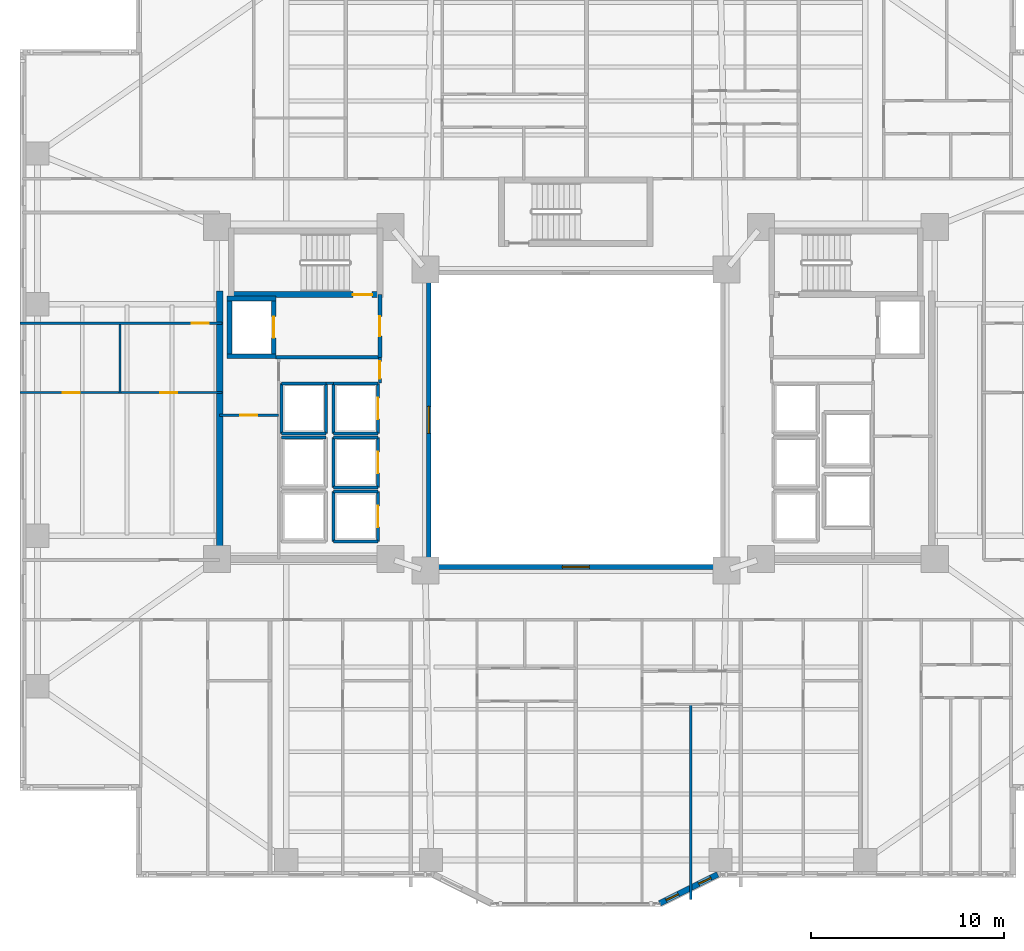
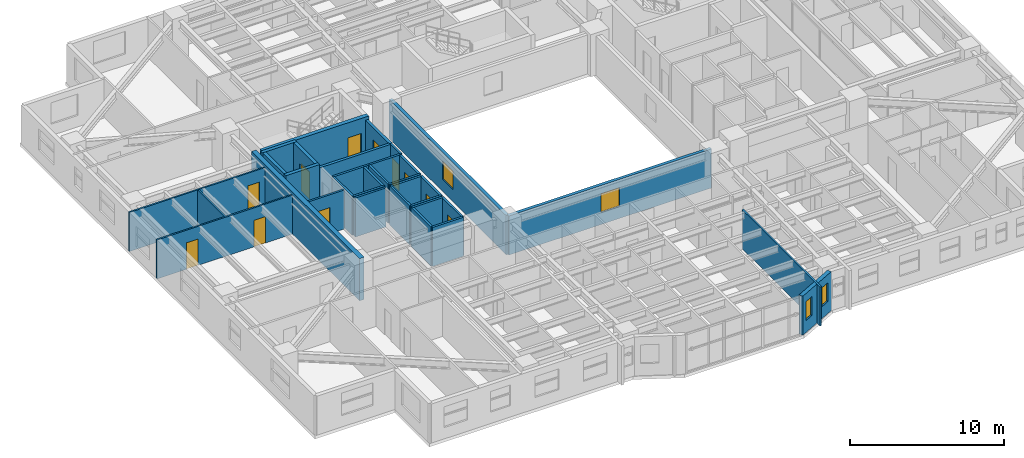
# One storey, part 11 of 21: 35 walls, 11 doors, 4 windows, 15 openings.
"""IFC4 building model written with IfcOpenShell, lengths in metres."""

from ifc_helpers import new_model, si_unit, direction, frame, frame_2d, origin, place, context, subcontext, project, spatial, rectangle, extrude, material, layer, layer_set, type_object, element, fill, save


model = new_model("IFC4")

# Units and contexts
model_context = context("Model", 3, precision=1e-05, world=origin(), true_north=direction((0.0, 1.0)))
body_context = subcontext(model_context, "Body", "Model", "MODEL_VIEW")
ifc_project = project(units=[si_unit("LENGTHUNIT", "METRE"), si_unit("AREAUNIT", "SQUARE_METRE"), si_unit("VOLUMEUNIT", "CUBIC_METRE"), si_unit("PLANEANGLEUNIT", "RADIAN"), si_unit("MASSUNIT", "GRAM", prefix="KILO")], contexts=[model_context])

# Site, building, storey
site_placement = place(None, origin())
site = spatial("IfcSite", under=ifc_project, at=site_placement, CompositionType="ELEMENT")
building_placement = place(site_placement, origin())
building = spatial("IfcBuilding", under=site, at=building_placement, Name="Tarnavaz Court Tower", CompositionType="ELEMENT")
storey_placement = place(building_placement, frame((0.0, 0.0, 24.0)))
storey = spatial("IfcBuildingStorey", under=building, at=storey_placement, Name="L05", CompositionType="ELEMENT", Elevation=24.0)

# Wall
ifc_material_1 = material(Name="Concrete C60/75", Category="concrete")
ifc_layer_1 = layer(ifc_material_1, 0.25)
ifc_layer_set_1 = layer_set([ifc_layer_1], Name="Concrete C60/75")
wall_type_1 = type_object("IfcWallType", Name="WL-CORE-250-C60", PredefinedType="SHEAR", material=ifc_layer_set_1)
wall_1_placement = place(storey_placement, frame((-17.949951171875, 3.175048828125, 0.0), z_axis=(0.0, 0.0, 1.0), x_axis=(0.0, 1.0, 0.0)))
element("IfcWall", 1, at=wall_1_placement, inside=storey, type_object=wall_type_1, Name="L05 Lift FL-W1 Shaft Wall 017", PredefinedType="SHEAR", context=body_context, shape_type="SweptSolid", body=[
    extrude(rectangle(XDim=3.25, YDim=0.25, at=frame_2d((1.625, 0.0))), origin(), (0.0, 0.0, 1.0), 3.35009765625),
])

# Wall, opening, door
wall_2_placement = place(storey_placement, frame((-15.64990234375, 3.175048828125, 0.0), z_axis=(0.0, 0.0, 1.0), x_axis=(0.0, 1.0, 0.0)))
wall_2 = element("IfcWall", 2, at=wall_2_placement, inside=storey, type_object=wall_type_1, Name="L05 Lift FL-W1 Shaft Wall 018", PredefinedType="SHEAR", context=body_context, shape_type="SweptSolid", body=[
    extrude(rectangle(XDim=3.25, YDim=0.25, at=frame_2d((1.625, 0.0))), origin(), (0.0, 0.0, 1.0), 3.35009765625),
])
opening_1_placement = place(wall_2_placement, frame((1.074951171875, 0.0, 0.0)))
opening_1 = element("IfcOpeningElement", 3, at=opening_1_placement, cuts=wall_2, Name="Opening LD1", PredefinedType="OPENING", context=body_context, shape_type="SweptSolid", body=[
    extrude(rectangle(XDim=1.10009765625, YDim=2.14990234375, at=frame_2d((0.550048828125, 1.074951171875))), frame((0.0, 0.135009765625, 0.0), z_axis=(0.0, -1.0, 0.0), x_axis=(1.0, 0.0, 0.0)), (0.0, 0.0, 1.0), 0.27001953125),
])
ifc_material_2 = material(Name="Stainless Steel", Category="steel")
door_type_1 = type_object("IfcDoorType", Name="DR-LD-1100", OperationType="NOTDEFINED", PredefinedType="DOOR", material=ifc_material_2)
door_1_placement = place(opening_1_placement, origin())
door_1 = element("IfcDoor", 4, at=door_1_placement, inside=storey, type_object=door_type_1, Name="L05 Lift Landing Door LD-FL-W1", OperationType="SLIDING_TO_LEFT", OverallHeight=2.14990234375, OverallWidth=1.10009765625, PredefinedType="DOOR", context=body_context, shape_type="SweptSolid", body=[
    extrude(rectangle(XDim=1.10009765625, YDim=2.14990234375, at=frame_2d((0.550048828125, 1.074951171875))), frame((0.0, 0.02490234375, 0.0), z_axis=(0.0, -1.0, 0.0), x_axis=(1.0, 0.0, 0.0)), (0.0, 0.0, 1.0), 0.050048828125),
])
fill(opening_1, door_1)

# Walls
for number, where, z_axis, x_axis, name in (
    (5, (-18.074951171875, 3.300048828125, 0.0), (0.0, 0.0, 1.0), (1.0, 0.0, 0.0), "L05 Lift FL-W1 Shaft Wall 019"),
    (6, (-18.074951171875, 6.300048828125, 0.0), (0.0, 0.0, 1.0), (1.0, 0.0, 0.0), "L05 Lift FL-W1 Shaft Wall 020"),
):
    element("IfcWall", number, at=place(storey_placement, frame(where, z_axis=z_axis, x_axis=x_axis)), inside=storey, type_object=wall_type_1, Name=name, PredefinedType="SHEAR", context=body_context, shape_type="SweptSolid", body=[
        extrude(rectangle(XDim=2.550048828125, YDim=0.25, at=frame_2d((1.27490234375, 0.0))), origin(), (0.0, 0.0, 1.0), 3.35009765625),
    ])

# Wall, opening, door
ifc_layer_2 = layer(ifc_material_1, 0.300048828125)
ifc_layer_set_2 = layer_set([ifc_layer_2], Name="Concrete C60/75")
wall_type_2 = type_object("IfcWallType", Name="WL-CORE-300-C60", PredefinedType="SHEAR", material=ifc_layer_set_2)
wall_3_placement = place(storey_placement, frame((-18.0, 6.5, 0.0), z_axis=(0.0, 0.0, 1.0), x_axis=(1.0, 0.0, 0.0)))
wall_3 = element("IfcWall", 7, at=wall_3_placement, inside=storey, type_object=wall_type_2, Name="L05 West Stair Core Wall 002", PredefinedType="SHEAR", context=body_context, shape_type="SweptSolid", body=[
    extrude(rectangle(XDim=8.0, YDim=0.300048828125, at=frame_2d((4.0, 0.0))), origin(), (0.0, 0.0, 1.0), 3.35009765625),
])
opening_2_placement = place(wall_3_placement, frame((6.449951171875, 0.0, 0.0)))
opening_2 = element("IfcOpeningElement", 8, at=opening_2_placement, cuts=wall_3, Name="Opening D01", PredefinedType="OPENING", context=body_context, shape_type="SweptSolid", body=[
    extrude(rectangle(XDim=1.0, YDim=2.14990234375, at=frame_2d((0.5, 1.074951171875))), frame((0.0, 0.159912109375, 0.0), z_axis=(0.0, -1.0, 0.0), x_axis=(1.0, 0.0, 0.0)), (0.0, 0.0, 1.0), 0.320068359375),
])
ifc_material_3 = material(Name="Fire-Rated Hardwood Timber Core", Category="wood")
door_type_2 = type_object("IfcDoorType", Name="DR-FD90-1000", OperationType="NOTDEFINED", PredefinedType="DOOR", material=ifc_material_3)
door_2_placement = place(opening_2_placement, origin())
door_2 = element("IfcDoor", 9, at=door_2_placement, inside=storey, type_object=door_type_2, Name="L05 Stair ST-W1 Exit Door", OperationType="SINGLE_SWING_LEFT", OverallHeight=2.14990234375, OverallWidth=1.0, PredefinedType="DOOR", context=body_context, shape_type="SweptSolid", body=[
    extrude(rectangle(XDim=1.0, YDim=2.14990234375, at=frame_2d((0.5, 1.074951171875))), frame((0.0, 0.02490234375, 0.0), z_axis=(0.0, -1.0, 0.0), x_axis=(1.0, 0.0, 0.0)), (0.0, 0.0, 1.0), 0.050048828125),
])
fill(opening_2, door_2)

# Wall
ifc_layer_3 = layer(ifc_material_1, 0.35009765625)
ifc_layer_set_3 = layer_set([ifc_layer_3], Name="Concrete C60/75")
wall_type_3 = type_object("IfcWallType", Name="WL-CORE-350-C60", PredefinedType="SHEAR", material=ifc_layer_set_3)
wall_4_placement = place(storey_placement, frame((-18.449951171875, -7.375, 0.0), z_axis=(0.0, 0.0, 1.0), x_axis=(0.0, 1.0, 0.0)))
element("IfcWall", 10, at=wall_4_placement, inside=storey, type_object=wall_type_3, Name="L05 West Core Shear Wall 069", PredefinedType="SHEAR", context=body_context, shape_type="SweptSolid", body=[
    extrude(rectangle(XDim=14.050048828125, YDim=0.35009765625, at=frame_2d((7.02490234375, 0.0))), origin(), (0.0, 0.0, 1.0), 3.35009765625),
])

# Wall, openings, windows
ifc_material_4 = material(Name="Precast Concrete C40/50", Category="concrete")
ifc_layer_4 = layer(ifc_material_4, 0.300048828125)
ifc_layer_set_4 = layer_set([ifc_layer_4], Name="Precast Concrete C40/50")
wall_type_4 = type_object("IfcWallType", Name="WL-EXT-300", PredefinedType="SOLIDWALL", material=ifc_layer_set_4)
wall_5_placement = place(storey_placement, frame((7.35009765625, -23.550048828125, 0.0), z_axis=(0.0, 0.0, 1.0), x_axis=(-0.894427191, -0.4472135955, 0.0)))
wall_5 = element("IfcWall", 11, at=wall_5_placement, inside=storey, type_object=wall_type_4, Name="L05 Exterior Terracotta Facade Wall 16", PredefinedType="SOLIDWALL", context=body_context, shape_type="SweptSolid", body=[
    extrude(rectangle(XDim=3.35400390625, YDim=0.300048828125, at=frame_2d((1.677001953125, 0.0))), origin(), (0.0, 0.0, 1.0), 3.10009765625),
])
opening_3_placement = place(wall_5_placement, frame((0.395751953125, 0.0, 0.949951171875)))
opening_3 = element("IfcOpeningElement", 12, at=opening_3_placement, cuts=wall_5, Name="Opening W16", PredefinedType="OPENING", context=body_context, shape_type="SweptSolid", body=[
    extrude(rectangle(XDim=0.699951171875, YDim=1.5, at=frame_2d((0.35009765625, 0.75))), frame((0.0, 0.159912109375, 0.0), z_axis=(0.0, -1.0, 0.0), x_axis=(1.0, 0.0, 0.0)), (0.0, 0.0, 1.0), 0.320068359375),
])
opening_4_placement = place(wall_5_placement, frame((2.282470703125, 0.0, 0.949951171875)))
opening_4 = element("IfcOpeningElement", 13, at=opening_4_placement, cuts=wall_5, Name="Opening W16", PredefinedType="OPENING", context=body_context, shape_type="SweptSolid", body=[
    extrude(rectangle(XDim=0.699951171875, YDim=1.5, at=frame_2d((0.35009765625, 0.75))), frame((0.0, 0.159912109375, 0.0), z_axis=(0.0, -1.0, 0.0), x_axis=(1.0, 0.0, 0.0)), (0.0, 0.0, 1.0), 0.320068359375),
])
ifc_material_5 = material(Name="Double-Glazed Solar Low-E Glass", Category="glass")
window_type_1 = type_object("IfcWindowType", Name="WN-APT-700", PartitioningType="SINGLE_PANEL", PredefinedType="WINDOW", material=ifc_material_5)
window_1_placement = place(opening_3_placement, origin())
window_1 = element("IfcWindow", 14, at=window_1_placement, inside=storey, type_object=window_type_1, Name="L05 Flat 10 Bedroom 2 Window", OverallHeight=1.5, OverallWidth=0.699951171875, PartitioningType="SINGLE_PANEL", PredefinedType="WINDOW", context=body_context, shape_type="SweptSolid", body=[
    extrude(rectangle(XDim=0.699951171875, YDim=1.5, at=frame_2d((0.35009765625, 0.75))), frame((0.0, 0.030029296875, 0.0), z_axis=(0.0, -1.0, 0.0), x_axis=(1.0, 0.0, 0.0)), (0.0, 0.0, 1.0), 0.06005859375),
])
fill(opening_3, window_1)
window_2_placement = place(opening_4_placement, origin())
window_2 = element("IfcWindow", 15, at=window_2_placement, inside=storey, type_object=window_type_1, Name="L05 Flat 10 Principal Bedroom Window", OverallHeight=1.5, OverallWidth=0.699951171875, PartitioningType="SINGLE_PANEL", PredefinedType="WINDOW", context=body_context, shape_type="SweptSolid", body=[
    extrude(rectangle(XDim=0.699951171875, YDim=1.5, at=frame_2d((0.35009765625, 0.75))), frame((0.0, 0.030029296875, 0.0), z_axis=(0.0, -1.0, 0.0), x_axis=(1.0, 0.0, 0.0)), (0.0, 0.0, 1.0), 0.06005859375),
])
fill(opening_4, window_2)

# Wall
ifc_material_6 = material(Name="Autoclaved Aerated Concrete Blockwork", Category="masonry")
ifc_layer_5 = layer(ifc_material_6, 0.199951171875)
ifc_layer_set_5 = layer_set([ifc_layer_5], Name="Autoclaved Aerated Concrete Blockwork")
wall_type_5 = type_object("IfcWallType", Name="WL-FIRE-200", PredefinedType="SOLIDWALL", material=ifc_layer_set_5)
wall_6_placement = place(storey_placement, frame((-15.550048828125, 3.25, 0.0), z_axis=(0.0, 0.0, 1.0), x_axis=(1.0, 0.0, 0.0)))
element("IfcWall", 16, at=wall_6_placement, inside=storey, type_object=wall_type_5, Name="L05 West Firefighting Lobby Wall 013", PredefinedType="SOLIDWALL", context=body_context, shape_type="SweptSolid", body=[
    extrude(rectangle(XDim=5.400146484375, YDim=0.199951171875, at=frame_2d((2.7001953125, 0.0))), origin(), (0.0, 0.0, 1.0), 3.10009765625),
])

# Wall, opening, door
wall_7_placement = place(storey_placement, frame((-10.14990234375, 3.25, 0.0), z_axis=(0.0, 0.0, 1.0), x_axis=(0.0, 1.0, 0.0)))
wall_7 = element("IfcWall", 17, at=wall_7_placement, inside=storey, type_object=wall_type_5, Name="L05 West Firefighting Lobby Wall 014", PredefinedType="SOLIDWALL", context=body_context, shape_type="SweptSolid", body=[
    extrude(rectangle(XDim=3.25, YDim=0.199951171875, at=frame_2d((1.625, 0.0))), origin(), (0.0, 0.0, 1.0), 3.10009765625),
])
opening_5_placement = place(wall_7_placement, frame((1.10009765625, 0.0, 0.0)))
opening_5 = element("IfcOpeningElement", 18, at=opening_5_placement, cuts=wall_7, Name="Opening D05", PredefinedType="OPENING", context=body_context, shape_type="SweptSolid", body=[
    extrude(rectangle(XDim=1.02001953125, YDim=2.14990234375, at=frame_2d((0.510009765625, 1.074951171875))), frame((0.0, 0.10986328125, 0.0), z_axis=(0.0, -1.0, 0.0), x_axis=(1.0, 0.0, 0.0)), (0.0, 0.0, 1.0), 0.219970703125),
])
door_type_3 = type_object("IfcDoorType", Name="DR-FD60-1000", OperationType="NOTDEFINED", PredefinedType="DOOR", material=ifc_material_3)
door_3_placement = place(opening_5_placement, origin())
door_3 = element("IfcDoor", 19, at=door_3_placement, inside=storey, type_object=door_type_3, Name="L05 West Firefighting Lobby Door", OperationType="SINGLE_SWING_RIGHT", OverallHeight=2.14990234375, OverallWidth=1.02001953125, PredefinedType="DOOR", context=body_context, shape_type="SweptSolid", body=[
    extrude(rectangle(XDim=1.02001953125, YDim=2.14990234375, at=frame_2d((0.510009765625, 1.074951171875))), frame((0.0, 0.02490234375, 0.0), z_axis=(0.0, -1.0, 0.0), x_axis=(1.0, 0.0, 0.0)), (0.0, 0.0, 1.0), 0.050048828125),
])
fill(opening_5, door_3)

# Wall
ifc_material_7 = material(Name="Moisture-Resistant Gypsum Board Partition", Category="masonry")
ifc_layer_6 = layer(ifc_material_7, 0.1201171875)
ifc_layer_set_6 = layer_set([ifc_layer_6], Name="Moisture-Resistant Gypsum Board Partition")
wall_type_6 = type_object("IfcWallType", Name="WL-PART-120", PredefinedType="PARTITIONING", material=ifc_layer_set_6)
wall_8_placement = place(storey_placement, frame((5.9609375, -24.843017578125, 0.0), z_axis=(0.0, 0.0, 1.0), x_axis=(0.0, 1.0, 0.0)))
element("IfcWall", 20, at=wall_8_placement, inside=storey, type_object=wall_type_6, Name="L05 Interior Partition 143", PredefinedType="PARTITIONING", context=body_context, shape_type="SweptSolid", body=[
    extrude(rectangle(XDim=10.1630859375, YDim=0.1201171875, at=frame_2d((5.08154296875, 0.0))), origin(), (0.0, 0.0, 1.0), 3.10009765625),
])

# Wall, openings, doors
wall_9_placement = place(storey_placement, frame((-28.800048828125, 1.419921875, 0.0), z_axis=(0.0, 0.0, 1.0), x_axis=(1.0, 0.0, 0.0)))
wall_9 = element("IfcWall", 21, at=wall_9_placement, inside=storey, type_object=wall_type_6, Name="L05 Interior Partition 156", PredefinedType="PARTITIONING", context=body_context, shape_type="SweptSolid", body=[
    extrude(rectangle(XDim=10.469970703125, YDim=0.1201171875, at=frame_2d((5.23486328125, 0.0))), origin(), (0.0, 0.0, 1.0), 3.10009765625),
])
opening_6_placement = place(wall_9_placement, frame((2.212890625, 0.0, 0.0)))
opening_6 = element("IfcOpeningElement", 22, at=opening_6_placement, cuts=wall_9, Name="Opening D14", PredefinedType="OPENING", context=body_context, shape_type="SweptSolid", body=[
    extrude(rectangle(XDim=0.8798828125, YDim=2.10009765625, at=frame_2d((0.43994140625, 1.050048828125))), frame((0.0, 0.070068359375, 0.0), z_axis=(0.0, -1.0, 0.0), x_axis=(1.0, 0.0, 0.0)), (0.0, 0.0, 1.0), 0.14013671875),
])
opening_7_placement = place(wall_9_placement, frame((7.278076171875, 0.0, 0.0)))
opening_7 = element("IfcOpeningElement", 23, at=opening_7_placement, cuts=wall_9, Name="Opening D14", PredefinedType="OPENING", context=body_context, shape_type="SweptSolid", body=[
    extrude(rectangle(XDim=0.8798828125, YDim=2.10009765625, at=frame_2d((0.43994140625, 1.050048828125))), frame((0.0, 0.070068359375, 0.0), z_axis=(0.0, -1.0, 0.0), x_axis=(1.0, 0.0, 0.0)), (0.0, 0.0, 1.0), 0.14013671875),
])
ifc_material_8 = material(Name="Engineered Oak Timber", Category="wood")
door_type_4 = type_object("IfcDoorType", Name="DR-INT-900", OperationType="NOTDEFINED", PredefinedType="DOOR", material=ifc_material_8)
door_4_placement = place(opening_6_placement, origin())
door_4 = element("IfcDoor", 24, at=door_4_placement, inside=storey, type_object=door_type_4, Name="L05 Flat 11 Kitchen Door", OperationType="SINGLE_SWING_LEFT", OverallHeight=2.10009765625, OverallWidth=0.8798828125, PredefinedType="DOOR", context=body_context, shape_type="SweptSolid", body=[
    extrude(rectangle(XDim=0.8798828125, YDim=2.10009765625, at=frame_2d((0.43994140625, 1.050048828125))), frame((0.0, 0.02490234375, 0.0), z_axis=(0.0, -1.0, 0.0), x_axis=(1.0, 0.0, 0.0)), (0.0, 0.0, 1.0), 0.050048828125),
])
fill(opening_6, door_4)
door_5_placement = place(opening_7_placement, origin())
door_5 = element("IfcDoor", 25, at=door_5_placement, inside=storey, type_object=door_type_4, Name="L05 Flat 11 Bathroom Door", OperationType="SINGLE_SWING_RIGHT", OverallHeight=2.10009765625, OverallWidth=0.8798828125, PredefinedType="DOOR", context=body_context, shape_type="SweptSolid", body=[
    extrude(rectangle(XDim=0.8798828125, YDim=2.10009765625, at=frame_2d((0.43994140625, 1.050048828125))), frame((0.0, 0.02490234375, 0.0), z_axis=(0.0, -1.0, 0.0), x_axis=(1.0, 0.0, 0.0)), (0.0, 0.0, 1.0), 0.050048828125),
])
fill(opening_7, door_5)

# Wall, opening, door
wall_10_placement = place(storey_placement, frame((-28.800048828125, 5.02001953125, 0.0), z_axis=(0.0, 0.0, 1.0), x_axis=(1.0, 0.0, 0.0)))
wall_10 = element("IfcWall", 26, at=wall_10_placement, inside=storey, type_object=wall_type_6, Name="L05 Interior Partition 157", PredefinedType="PARTITIONING", context=body_context, shape_type="SweptSolid", body=[
    extrude(rectangle(XDim=10.469970703125, YDim=0.1201171875, at=frame_2d((5.23486328125, 0.0))), origin(), (0.0, 0.0, 1.0), 3.10009765625),
])
opening_8_placement = place(wall_10_placement, frame((8.89990234375, 0.0, 0.0)))
opening_8 = element("IfcOpeningElement", 27, at=opening_8_placement, cuts=wall_10, Name="Opening D14", PredefinedType="OPENING", context=body_context, shape_type="SweptSolid", body=[
    extrude(rectangle(XDim=0.8798828125, YDim=2.10009765625, at=frame_2d((0.43994140625, 1.050048828125))), frame((0.0, 0.070068359375, 0.0), z_axis=(0.0, -1.0, 0.0), x_axis=(1.0, 0.0, 0.0)), (0.0, 0.0, 1.0), 0.14013671875),
])
door_6_placement = place(opening_8_placement, origin())
door_6 = element("IfcDoor", 28, at=door_6_placement, inside=storey, type_object=door_type_4, Name="L05 Flat 11 Study Door", OperationType="SINGLE_SWING_LEFT", OverallHeight=2.10009765625, OverallWidth=0.8798828125, PredefinedType="DOOR", context=body_context, shape_type="SweptSolid", body=[
    extrude(rectangle(XDim=0.8798828125, YDim=2.10009765625, at=frame_2d((0.43994140625, 1.050048828125))), frame((0.0, 0.02490234375, 0.0), z_axis=(0.0, -1.0, 0.0), x_axis=(1.0, 0.0, 0.0)), (0.0, 0.0, 1.0), 0.050048828125),
])
fill(opening_8, door_6)

# Walls
wall_11_placement = place(storey_placement, frame((-23.614990234375, 1.360107421875, 0.0), z_axis=(0.0, 0.0, 1.0), x_axis=(0.0, 1.0, 0.0)))
element("IfcWall", 29, at=wall_11_placement, inside=storey, type_object=wall_type_6, Name="L05 Interior Partition 158", PredefinedType="PARTITIONING", context=body_context, shape_type="SweptSolid", body=[
    extrude(rectangle(XDim=3.579833984375, YDim=0.1201171875, at=frame_2d((1.7900390625, 0.0))), origin(), (0.0, 0.0, 1.0), 3.10009765625),
])
ifc_material_9 = material(Name="Gypsum Plasterboard Acoustic Partition", Category="masonry")
ifc_layer_7 = layer(ifc_material_9, 0.139892578125)
ifc_layer_set_7 = layer_set([ifc_layer_7], Name="Gypsum Plasterboard Acoustic Partition")
wall_type_7 = type_object("IfcWallType", Name="WL-PART-150", PredefinedType="PARTITIONING", material=ifc_layer_set_7)
wall_12_placement = place(storey_placement, frame((-12.949951171875, 1.89990234375, 0.0), z_axis=(0.0, 0.0, 1.0), x_axis=(1.0, 0.0, 0.0)))
element("IfcWall", 30, at=wall_12_placement, inside=storey, type_object=wall_type_7, Name="L05 Interior Partition 073", PredefinedType="PARTITIONING", context=body_context, shape_type="SweptSolid", body=[
    extrude(rectangle(XDim=0.39990234375, YDim=0.139892578125, at=frame_2d((0.199951171875, 0.0))), origin(), (0.0, 0.0, 1.0), 3.10009765625),
])

# Wall, opening, door
wall_13_placement = place(storey_placement, frame((-10.14990234375, 1.919921875, 0.0), z_axis=(0.0, 0.0, 1.0), x_axis=(0.0, 1.0, 0.0)))
wall_13 = element("IfcWall", 31, at=wall_13_placement, inside=storey, type_object=wall_type_7, Name="L05 Interior Partition 074", PredefinedType="PARTITIONING", context=body_context, shape_type="SweptSolid", body=[
    extrude(rectangle(XDim=1.330078125, YDim=0.139892578125, at=frame_2d((0.6650390625, 0.0))), origin(), (0.0, 0.0, 1.0), 3.10009765625),
])
opening_9_placement = place(wall_13_placement, frame((0.219970703125, 0.0, 0.0)))
opening_9 = element("IfcOpeningElement", 32, at=opening_9_placement, cuts=wall_13, Name="Opening D09", PredefinedType="OPENING", context=body_context, shape_type="SweptSolid", body=[
    extrude(rectangle(XDim=0.89990234375, YDim=2.080078125, at=frame_2d((0.449951171875, 1.0400390625))), frame((0.0, 0.079833984375, 0.0), z_axis=(0.0, -1.0, 0.0), x_axis=(1.0, 0.0, 0.0)), (0.0, 0.0, 1.0), 0.159912109375),
])
door_type_5 = type_object("IfcDoorType", Name="DR-FD30-900", OperationType="NOTDEFINED", PredefinedType="DOOR", material=ifc_material_3)
door_7_placement = place(opening_9_placement, origin())
door_7 = element("IfcDoor", 33, at=door_7_placement, inside=storey, type_object=door_type_5, Name="L05 West Core Service Lobby Door", OperationType="SINGLE_SWING_LEFT", OverallHeight=2.080078125, OverallWidth=0.89990234375, PredefinedType="DOOR", context=body_context, shape_type="SweptSolid", body=[
    extrude(rectangle(XDim=0.89990234375, YDim=2.080078125, at=frame_2d((0.449951171875, 1.0400390625))), frame((0.0, 0.02490234375, 0.0), z_axis=(0.0, -1.0, 0.0), x_axis=(1.0, 0.0, 0.0)), (0.0, 0.0, 1.0), 0.050048828125),
])
fill(opening_9, door_7)

wall_14_placement = place(storey_placement, frame((-18.449951171875, 0.25, 0.0), z_axis=(0.0, 0.0, 1.0), x_axis=(1.0, 0.0, 0.0)))
wall_14 = element("IfcWall", 34, at=wall_14_placement, inside=storey, type_object=wall_type_7, Name="L05 Interior Partition 076", PredefinedType="PARTITIONING", context=body_context, shape_type="SweptSolid", body=[
    extrude(rectangle(XDim=3.050048828125, YDim=0.139892578125, at=frame_2d((1.52490234375, 0.0))), origin(), (0.0, 0.0, 1.0), 3.10009765625),
])
opening_10_placement = place(wall_14_placement, frame((1.050048828125, 0.0, 0.0)))
opening_10 = element("IfcOpeningElement", 35, at=opening_10_placement, cuts=wall_14, Name="Opening D09", PredefinedType="OPENING", context=body_context, shape_type="SweptSolid", body=[
    extrude(rectangle(XDim=0.89990234375, YDim=2.080078125, at=frame_2d((0.449951171875, 1.0400390625))), frame((0.0, 0.079833984375, 0.0), z_axis=(0.0, -1.0, 0.0), x_axis=(1.0, 0.0, 0.0)), (0.0, 0.0, 1.0), 0.159912109375),
])
door_8_placement = place(opening_10_placement, origin())
door_8 = element("IfcDoor", 36, at=door_8_placement, inside=storey, type_object=door_type_5, Name="L05 West Mechanical Riser Door", OperationType="SINGLE_SWING_LEFT", OverallHeight=2.080078125, OverallWidth=0.89990234375, PredefinedType="DOOR", context=body_context, shape_type="SweptSolid", body=[
    extrude(rectangle(XDim=0.89990234375, YDim=2.080078125, at=frame_2d((0.449951171875, 1.0400390625))), frame((0.0, 0.02490234375, 0.0), z_axis=(0.0, -1.0, 0.0), x_axis=(1.0, 0.0, 0.0)), (0.0, 0.0, 1.0), 0.050048828125),
])
fill(opening_10, door_8)

# Wall
ifc_layer_8 = layer(ifc_material_6, 0.159912109375)
ifc_layer_set_8 = layer_set([ifc_layer_8], Name="Autoclaved Aerated Concrete Blockwork")
wall_type_8 = type_object("IfcWallType", Name="WL-SHAFT-150", PredefinedType="SOLIDWALL", material=ifc_layer_set_8)
wall_15_placement = place(storey_placement, frame((-12.550048828125, -6.300048828125, 0.0), z_axis=(0.0, 0.0, 1.0), x_axis=(0.0, 1.0, 0.0)))
element("IfcWall", 37, at=wall_15_placement, inside=storey, type_object=wall_type_8, Name="L05 Lift PL-L1 Shaft Wall 021", PredefinedType="SOLIDWALL", context=body_context, shape_type="SweptSolid", body=[
    extrude(rectangle(XDim=2.60009765625, YDim=0.159912109375, at=frame_2d((1.300048828125, 0.0))), origin(), (0.0, 0.0, 1.0), 3.10009765625),
])

# Wall, opening, door
wall_16_placement = place(storey_placement, frame((-10.25, -6.300048828125, 0.0), z_axis=(0.0, 0.0, 1.0), x_axis=(0.0, 1.0, 0.0)))
wall_16 = element("IfcWall", 38, at=wall_16_placement, inside=storey, type_object=wall_type_8, Name="L05 Lift PL-L1 Shaft Wall 022", PredefinedType="SOLIDWALL", context=body_context, shape_type="SweptSolid", body=[
    extrude(rectangle(XDim=2.60009765625, YDim=0.159912109375, at=frame_2d((1.300048828125, 0.0))), origin(), (0.0, 0.0, 1.0), 3.10009765625),
])
opening_11_placement = place(wall_16_placement, frame((0.75, 0.0, 0.0)))
opening_11 = element("IfcOpeningElement", 39, at=opening_11_placement, cuts=wall_16, Name="Opening LD1", PredefinedType="OPENING", context=body_context, shape_type="SweptSolid", body=[
    extrude(rectangle(XDim=1.10009765625, YDim=2.14990234375, at=frame_2d((0.550048828125, 1.074951171875))), frame((0.0, 0.08984375, 0.0), z_axis=(0.0, -1.0, 0.0), x_axis=(1.0, 0.0, 0.0)), (0.0, 0.0, 1.0), 0.179931640625),
])
door_9_placement = place(opening_11_placement, origin())
door_9 = element("IfcDoor", 40, at=door_9_placement, inside=storey, type_object=door_type_1, Name="L05 Lift Landing Door LD-PL-L1", OperationType="SLIDING_TO_LEFT", OverallHeight=2.14990234375, OverallWidth=1.10009765625, PredefinedType="DOOR", context=body_context, shape_type="SweptSolid", body=[
    extrude(rectangle(XDim=1.10009765625, YDim=2.14990234375, at=frame_2d((0.550048828125, 1.074951171875))), frame((0.0, 0.02490234375, 0.0), z_axis=(0.0, -1.0, 0.0), x_axis=(1.0, 0.0, 0.0)), (0.0, 0.0, 1.0), 0.050048828125),
])
fill(opening_11, door_9)

# Walls
for number, where, z_axis, x_axis, name in (
    (41, (-12.550048828125, -6.300048828125, 0.0), (0.0, 0.0, 1.0), (1.0, 0.0, 0.0), "L05 Lift PL-L1 Shaft Wall 023"),
    (42, (-12.550048828125, -3.699951171875, 0.0), (0.0, 0.0, 1.0), (1.0, 0.0, 0.0), "L05 Lift PL-L1 Shaft Wall 024"),
):
    element("IfcWall", number, at=place(storey_placement, frame(where, z_axis=z_axis, x_axis=x_axis)), inside=storey, type_object=wall_type_8, Name=name, PredefinedType="SOLIDWALL", context=body_context, shape_type="SweptSolid", body=[
        extrude(rectangle(XDim=2.300048828125, YDim=0.159912109375, at=frame_2d((1.14990234375, 0.0))), origin(), (0.0, 0.0, 1.0), 3.10009765625),
    ])
wall_17_placement = place(storey_placement, frame((-12.550048828125, -3.5, 0.0), z_axis=(0.0, 0.0, 1.0), x_axis=(0.0, 1.0, 0.0)))
element("IfcWall", 43, at=wall_17_placement, inside=storey, type_object=wall_type_8, Name="L05 Lift PL-L2 Shaft Wall 025", PredefinedType="SOLIDWALL", context=body_context, shape_type="SweptSolid", body=[
    extrude(rectangle(XDim=2.60009765625, YDim=0.159912109375, at=frame_2d((1.300048828125, 0.0))), origin(), (0.0, 0.0, 1.0), 3.10009765625),
])

# Wall, opening, door
wall_18_placement = place(storey_placement, frame((-10.25, -3.5, 0.0), z_axis=(0.0, 0.0, 1.0), x_axis=(0.0, 1.0, 0.0)))
wall_18 = element("IfcWall", 44, at=wall_18_placement, inside=storey, type_object=wall_type_8, Name="L05 Lift PL-L2 Shaft Wall 026", PredefinedType="SOLIDWALL", context=body_context, shape_type="SweptSolid", body=[
    extrude(rectangle(XDim=2.60009765625, YDim=0.159912109375, at=frame_2d((1.300048828125, 0.0))), origin(), (0.0, 0.0, 1.0), 3.10009765625),
])
opening_12_placement = place(wall_18_placement, frame((0.75, 0.0, 0.0)))
opening_12 = element("IfcOpeningElement", 45, at=opening_12_placement, cuts=wall_18, Name="Opening LD1", PredefinedType="OPENING", context=body_context, shape_type="SweptSolid", body=[
    extrude(rectangle(XDim=1.10009765625, YDim=2.14990234375, at=frame_2d((0.550048828125, 1.074951171875))), frame((0.0, 0.08984375, 0.0), z_axis=(0.0, -1.0, 0.0), x_axis=(1.0, 0.0, 0.0)), (0.0, 0.0, 1.0), 0.179931640625),
])
door_10_placement = place(opening_12_placement, origin())
door_10 = element("IfcDoor", 46, at=door_10_placement, inside=storey, type_object=door_type_1, Name="L05 Lift Landing Door LD-PL-L2", OperationType="SLIDING_TO_LEFT", OverallHeight=2.14990234375, OverallWidth=1.10009765625, PredefinedType="DOOR", context=body_context, shape_type="SweptSolid", body=[
    extrude(rectangle(XDim=1.10009765625, YDim=2.14990234375, at=frame_2d((0.550048828125, 1.074951171875))), frame((0.0, 0.02490234375, 0.0), z_axis=(0.0, -1.0, 0.0), x_axis=(1.0, 0.0, 0.0)), (0.0, 0.0, 1.0), 0.050048828125),
])
fill(opening_12, door_10)

# Walls
for number, where, z_axis, x_axis, name in (
    (47, (-12.550048828125, -3.5, 0.0), (0.0, 0.0, 1.0), (1.0, 0.0, 0.0), "L05 Lift PL-L2 Shaft Wall 027"),
    (48, (-12.550048828125, -0.89990234375, 0.0), (0.0, 0.0, 1.0), (1.0, 0.0, 0.0), "L05 Lift PL-L2 Shaft Wall 028"),
):
    element("IfcWall", number, at=place(storey_placement, frame(where, z_axis=z_axis, x_axis=x_axis)), inside=storey, type_object=wall_type_8, Name=name, PredefinedType="SOLIDWALL", context=body_context, shape_type="SweptSolid", body=[
        extrude(rectangle(XDim=2.300048828125, YDim=0.159912109375, at=frame_2d((1.14990234375, 0.0))), origin(), (0.0, 0.0, 1.0), 3.10009765625),
    ])
wall_19_placement = place(storey_placement, frame((-12.550048828125, -0.699951171875, 0.0), z_axis=(0.0, 0.0, 1.0), x_axis=(0.0, 1.0, 0.0)))
element("IfcWall", 49, at=wall_19_placement, inside=storey, type_object=wall_type_8, Name="L05 Lift PL-L3 Shaft Wall 029", PredefinedType="SOLIDWALL", context=body_context, shape_type="SweptSolid", body=[
    extrude(rectangle(XDim=2.599853515625, YDim=0.159912109375, at=frame_2d((1.2998046875, 0.0))), origin(), (0.0, 0.0, 1.0), 3.10009765625),
])

# Wall, opening, door
wall_20_placement = place(storey_placement, frame((-10.25, -0.699951171875, 0.0), z_axis=(0.0, 0.0, 1.0), x_axis=(0.0, 1.0, 0.0)))
wall_20 = element("IfcWall", 50, at=wall_20_placement, inside=storey, type_object=wall_type_8, Name="L05 Lift PL-L3 Shaft Wall 030", PredefinedType="SOLIDWALL", context=body_context, shape_type="SweptSolid", body=[
    extrude(rectangle(XDim=2.599853515625, YDim=0.159912109375, at=frame_2d((1.2998046875, 0.0))), origin(), (0.0, 0.0, 1.0), 3.10009765625),
])
opening_13_placement = place(wall_20_placement, frame((0.75, 0.0, 0.0)))
opening_13 = element("IfcOpeningElement", 51, at=opening_13_placement, cuts=wall_20, Name="Opening LD1", PredefinedType="OPENING", context=body_context, shape_type="SweptSolid", body=[
    extrude(rectangle(XDim=1.10009765625, YDim=2.14990234375, at=frame_2d((0.550048828125, 1.074951171875))), frame((0.0, 0.08984375, 0.0), z_axis=(0.0, -1.0, 0.0), x_axis=(1.0, 0.0, 0.0)), (0.0, 0.0, 1.0), 0.179931640625),
])
door_11_placement = place(opening_13_placement, origin())
door_11 = element("IfcDoor", 52, at=door_11_placement, inside=storey, type_object=door_type_1, Name="L05 Lift Landing Door LD-PL-L3", OperationType="SLIDING_TO_LEFT", OverallHeight=2.14990234375, OverallWidth=1.10009765625, PredefinedType="DOOR", context=body_context, shape_type="SweptSolid", body=[
    extrude(rectangle(XDim=1.10009765625, YDim=2.14990234375, at=frame_2d((0.550048828125, 1.074951171875))), frame((0.0, 0.02490234375, 0.0), z_axis=(0.0, -1.0, 0.0), x_axis=(1.0, 0.0, 0.0)), (0.0, 0.0, 1.0), 0.050048828125),
])
fill(opening_13, door_11)

# Walls
for number, where, z_axis, x_axis, name in (
    (53, (-12.550048828125, -0.699951171875, 0.0), (0.0, 0.0, 1.0), (1.0, 0.0, 0.0), "L05 Lift PL-L3 Shaft Wall 031"),
    (54, (-12.550048828125, 1.89990234375, 0.0), (0.0, 0.0, 1.0), (1.0, 0.0, 0.0), "L05 Lift PL-L3 Shaft Wall 032"),
    (55, (-15.25, -0.89990234375, 0.0), (0.0, 0.0, 1.0), (1.0, 0.0, 0.0), "L05 Lift PL-H2 Shaft Wall 040"),
):
    element("IfcWall", number, at=place(storey_placement, frame(where, z_axis=z_axis, x_axis=x_axis)), inside=storey, type_object=wall_type_8, Name=name, PredefinedType="SOLIDWALL", context=body_context, shape_type="SweptSolid", body=[
        extrude(rectangle(XDim=2.300048828125, YDim=0.159912109375, at=frame_2d((1.14990234375, 0.0))), origin(), (0.0, 0.0, 1.0), 3.10009765625),
    ])
for number, where, z_axis, x_axis, name in (
    (56, (-15.25, -0.699951171875, 0.0), (0.0, 0.0, 1.0), (0.0, 1.0, 0.0), "L05 Lift PL-H3 Shaft Wall 041"),
    (57, (-12.949951171875, -0.699951171875, 0.0), (0.0, 0.0, 1.0), (0.0, 1.0, 0.0), "L05 Lift PL-H3 Shaft Wall 042"),
):
    element("IfcWall", number, at=place(storey_placement, frame(where, z_axis=z_axis, x_axis=x_axis)), inside=storey, type_object=wall_type_8, Name=name, PredefinedType="SOLIDWALL", context=body_context, shape_type="SweptSolid", body=[
        extrude(rectangle(XDim=2.599853515625, YDim=0.159912109375, at=frame_2d((1.2998046875, 0.0))), origin(), (0.0, 0.0, 1.0), 3.10009765625),
    ])
for number, where, z_axis, x_axis, name in (
    (58, (-15.25, -0.699951171875, 0.0), (0.0, 0.0, 1.0), (1.0, 0.0, 0.0), "L05 Lift PL-H3 Shaft Wall 043"),
    (59, (-15.25, 1.89990234375, 0.0), (0.0, 0.0, 1.0), (1.0, 0.0, 0.0), "L05 Lift PL-H3 Shaft Wall 044"),
):
    element("IfcWall", number, at=place(storey_placement, frame(where, z_axis=z_axis, x_axis=x_axis)), inside=storey, type_object=wall_type_8, Name=name, PredefinedType="SOLIDWALL", context=body_context, shape_type="SweptSolid", body=[
        extrude(rectangle(XDim=2.300048828125, YDim=0.159912109375, at=frame_2d((1.14990234375, 0.0))), origin(), (0.0, 0.0, 1.0), 3.10009765625),
    ])

# Wall, opening, window
ifc_layer_9 = layer(ifc_material_4, 0.239990234375)
ifc_layer_set_9 = layer_set([ifc_layer_9], Name="Precast Concrete C40/50")
wall_type_9 = type_object("IfcWallType", Name="WL-WELL-240", PredefinedType="SOLIDWALL", material=ifc_layer_set_9)
wall_21_placement = place(storey_placement, frame((-7.6201171875, -7.6201171875, 0.0), z_axis=(0.0, 0.0, 1.0), x_axis=(1.0, 0.0, 0.0)))
wall_21 = element("IfcWall", 60, at=wall_21_placement, inside=storey, type_object=wall_type_9, Name="L05 Badgir Light-Well Exterior Wall S", PredefinedType="SOLIDWALL", context=body_context, shape_type="SweptSolid", body=[
    extrude(rectangle(XDim=15.240234375, YDim=0.239990234375, at=frame_2d((7.6201171875, 0.0))), origin(), (0.0, 0.0, 1.0), 3.10009765625),
])
opening_14_placement = place(wall_21_placement, frame((6.919921875, 0.0, 0.949951171875)))
opening_14 = element("IfcOpeningElement", 61, at=opening_14_placement, cuts=wall_21, Name="Opening W13", PredefinedType="OPENING", context=body_context, shape_type="SweptSolid", body=[
    extrude(rectangle(XDim=1.39990234375, YDim=1.5, at=frame_2d((0.699951171875, 0.75))), frame((0.0, 0.1298828125, 0.0), z_axis=(0.0, -1.0, 0.0), x_axis=(1.0, 0.0, 0.0)), (0.0, 0.0, 1.0), 0.260009765625),
])
window_type_2 = type_object("IfcWindowType", Name="WN-WEL-1400", PartitioningType="SINGLE_PANEL", PredefinedType="WINDOW", material=ifc_material_5)
window_3_placement = place(opening_14_placement, origin())
window_3 = element("IfcWindow", 62, at=window_3_placement, inside=storey, type_object=window_type_2, Name="L05 Courtyard Gallery Window S", OverallHeight=1.5, OverallWidth=1.39990234375, PartitioningType="SINGLE_PANEL", PredefinedType="WINDOW", context=body_context, shape_type="SweptSolid", body=[
    extrude(rectangle(XDim=1.39990234375, YDim=1.5, at=frame_2d((0.699951171875, 0.75))), frame((0.0, 0.030029296875, 0.0), z_axis=(0.0, -1.0, 0.0), x_axis=(1.0, 0.0, 0.0)), (0.0, 0.0, 1.0), 0.06005859375),
])
fill(opening_14, window_3)

wall_22_placement = place(storey_placement, frame((-7.6201171875, 7.6201171875, 0.0), z_axis=(0.0, 0.0, 1.0), x_axis=(0.0, -1.0, 0.0)))
wall_22 = element("IfcWall", 63, at=wall_22_placement, inside=storey, type_object=wall_type_9, Name="L05 Badgir Light-Well Exterior Wall W", PredefinedType="SOLIDWALL", context=body_context, shape_type="SweptSolid", body=[
    extrude(rectangle(XDim=15.240234375, YDim=0.239990234375, at=frame_2d((7.6201171875, 0.0))), origin(), (0.0, 0.0, 1.0), 3.10009765625),
])
opening_15_placement = place(wall_22_placement, frame((6.919921875, 0.0, 0.949951171875)))
opening_15 = element("IfcOpeningElement", 64, at=opening_15_placement, cuts=wall_22, Name="Opening W13", PredefinedType="OPENING", context=body_context, shape_type="SweptSolid", body=[
    extrude(rectangle(XDim=1.39990234375, YDim=1.5, at=frame_2d((0.699951171875, 0.75))), frame((0.0, 0.1298828125, 0.0), z_axis=(0.0, -1.0, 0.0), x_axis=(1.0, 0.0, 0.0)), (0.0, 0.0, 1.0), 0.260009765625),
])
window_4_placement = place(opening_15_placement, origin())
window_4 = element("IfcWindow", 65, at=window_4_placement, inside=storey, type_object=window_type_2, Name="L05 Courtyard Gallery Window W", OverallHeight=1.5, OverallWidth=1.39990234375, PartitioningType="SINGLE_PANEL", PredefinedType="WINDOW", context=body_context, shape_type="SweptSolid", body=[
    extrude(rectangle(XDim=1.39990234375, YDim=1.5, at=frame_2d((0.699951171875, 0.75))), frame((0.0, 0.030029296875, 0.0), z_axis=(0.0, -1.0, 0.0), x_axis=(1.0, 0.0, 0.0)), (0.0, 0.0, 1.0), 0.06005859375),
])
fill(opening_15, window_4)

save(model, "model.ifc")
